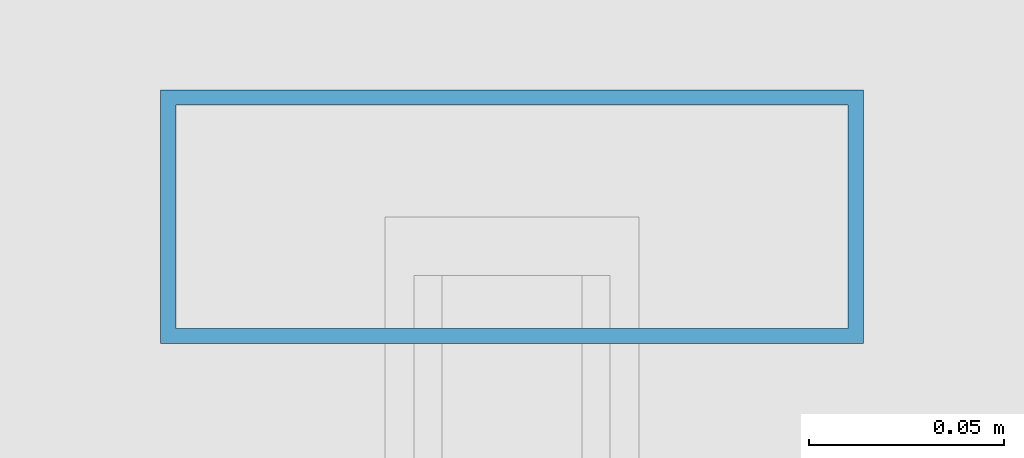
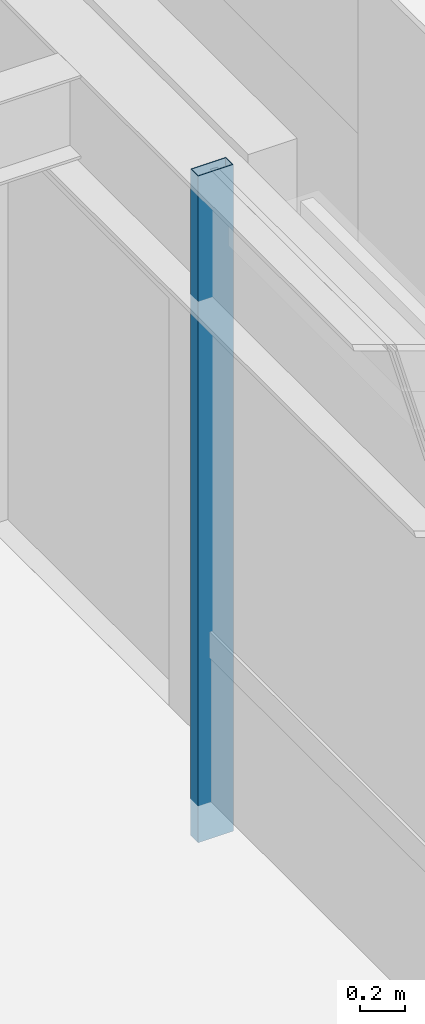
# One storey, part 15 of 33: 1 member, 1 element without a shape of its own.
"""IFC4 building model written with IfcOpenShell, lengths in metres."""

from ifc_helpers import new_model, si_unit, direction, frame, origin, origin_2d, place, context, subcontext, project, spatial, hollow_rectangle, extrude, material, layer, layer_set, material_profile, profile_set, type_object, element, aggregate, save


model = new_model("IFC4")

# Units and contexts
model_context = context("Model", 3, precision=1e-05, world=origin(), true_north=direction((0.0, 1.0)))
body_context = subcontext(model_context, "Body", "Model", "MODEL_VIEW")
ifc_project = project(units=[si_unit("LENGTHUNIT", "METRE"), si_unit("AREAUNIT", "SQUARE_METRE"), si_unit("VOLUMEUNIT", "CUBIC_METRE"), si_unit("PLANEANGLEUNIT", "RADIAN"), si_unit("MASSUNIT", "GRAM", prefix="KILO")], contexts=[model_context])

# Site, building, storey
site_placement = place(None, origin())
site = spatial("IfcSite", under=ifc_project, at=site_placement, CompositionType="ELEMENT")
building_placement = place(site_placement, origin())
building = spatial("IfcBuilding", under=site, at=building_placement, Name="Brelmoor Portico Tower", CompositionType="ELEMENT")
storey_placement = place(building_placement, frame((0.0, 0.0, 34.800048828125)))
storey = spatial("IfcBuildingStorey", under=building, at=storey_placement, Name="L08", CompositionType="ELEMENT", Elevation=34.800048828125)

# Curtain wall, member
ifc_material = material(Name="Anodised Aluminium Alloy 6063-T6", Category="aluminium")
ifc_layer = layer(ifc_material, 0.179931640625)
ifc_layer_set = layer_set([ifc_layer], Name="Anodised Aluminium Alloy 6063-T6")
curtain_wall_type = type_object("IfcCurtainWallType", Name="CW-TOWER-Z1", PredefinedType="NOTDEFINED", material=ifc_layer_set)
curtain_wall_placement = place(storey_placement, origin())
curtain_wall = element("IfcCurtainWall", 1, at=curtain_wall_placement, inside=storey, type_object=curtain_wall_type, Name="L08 Curtain Wall CW-L08-4L-2", PredefinedType="NOTDEFINED")
ifc_material_profile = material_profile(ifc_material, hollow_rectangle(XDim=0.06494140625, YDim=0.179931640625, WallThickness=0.00390625, at=origin_2d()), Name="ALU MULLION 65x180")
ifc_profile_set = profile_set([ifc_material_profile], Name="Anodised Aluminium Alloy 6063-T6")
member_type = type_object("IfcMemberType", Name="MB-CW-MULL-180", PredefinedType="MULLION", material=ifc_profile_set)
member_placement = place(storey_placement, frame((24.550048828125, 5.5, -0.199951171875), z_axis=(0.0, 0.0, 1.0), x_axis=(0.0, 1.0, 0.0)))
member = element("IfcMember", 2, at=member_placement, type_object=member_type, Name="CW-L08-4L-2 Mullion 01", PredefinedType="MULLION", context=body_context, shape_type="SweptSolid", body=[
    extrude(hollow_rectangle(XDim=0.06494140625, YDim=0.179931640625, WallThickness=0.00390625, at=origin_2d()), origin(), (0.0, 0.0, 1.0), 3.599853515625),
])
aggregate(curtain_wall, [member])

save(model, "model.ifc")
